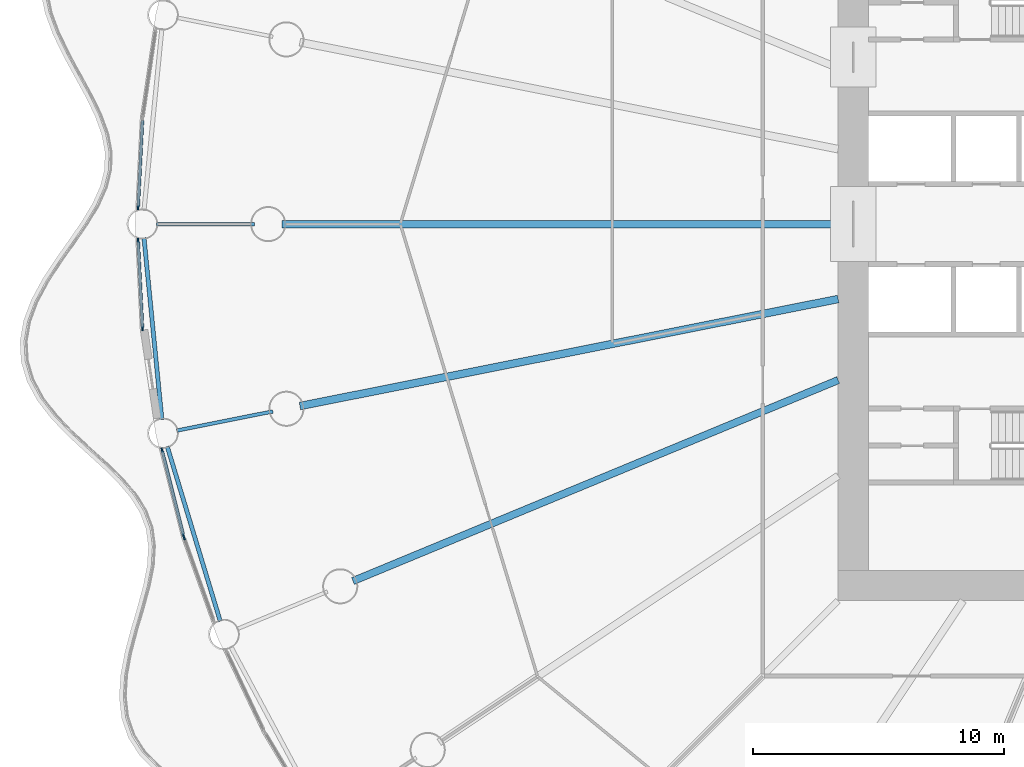
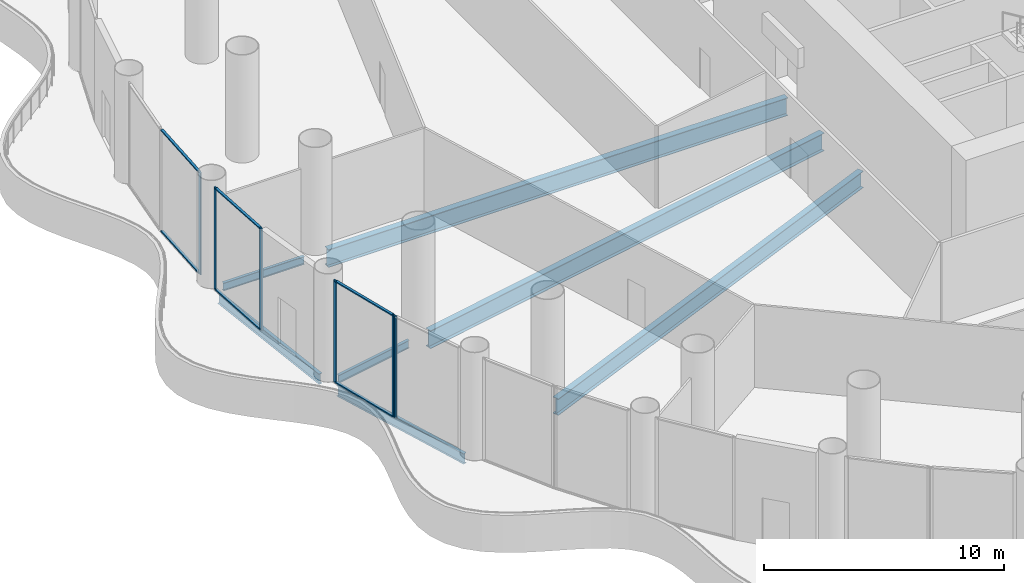
# One storey, part 7 of 37: 12 members, 7 beams, 4 elements without a shape of their own.
"""IFC4 building model written with IfcOpenShell, lengths in metres."""

from ifc_helpers import new_model, si_unit, direction, frame, origin, origin_2d, place, context, subcontext, project, spatial, rectangle, i_section, extrude, material, material_profile, profile_set, type_object, element, aggregate, save


model = new_model("IFC4")

# Units and contexts
model_context = context("Model", 3, precision=1e-05, world=origin(), true_north=direction((0.0, 1.0)))
body_context = subcontext(model_context, "Body", "Model", "MODEL_VIEW")
ifc_project = project(units=[si_unit("LENGTHUNIT", "METRE"), si_unit("AREAUNIT", "SQUARE_METRE"), si_unit("VOLUMEUNIT", "CUBIC_METRE"), si_unit("PLANEANGLEUNIT", "RADIAN"), si_unit("MASSUNIT", "GRAM", prefix="KILO")], contexts=[model_context])

# Site, building, storey
site_placement = place(None, origin())
site = spatial("IfcSite", under=ifc_project, at=site_placement, CompositionType="ELEMENT")
building_placement = place(site_placement, origin())
building = spatial("IfcBuilding", under=site, at=building_placement, Name="Corvane Civic Tower", CompositionType="ELEMENT")
storey_placement = place(building_placement, frame((0.0, 0.0, 11.5)))
storey = spatial("IfcBuildingStorey", under=building, at=storey_placement, Name="L02", CompositionType="ELEMENT", Elevation=11.5)

# Beams
ifc_material_1 = material(Name="Steel ASTM A992 Gr 50", Category="steel")
ifc_material_profile_1 = material_profile(ifc_material_1, i_section(OverallWidth=0.165771484375, OverallDepth=0.5283203125, WebThickness=0.009765625, FlangeThickness=0.013671875, at=origin_2d()), Name="W21X50")
ifc_profile_set_1 = profile_set([ifc_material_profile_1], Name="Steel ASTM A992 Gr 50")
beam_type_1 = type_object("IfcBeamType", Name="EDGE BEAM W21X50", PredefinedType="BEAM", material=ifc_profile_set_1)
for number, where, z_axis, x_axis, name in (
    (1, (-39.609375, -15.814208984375, -0.564208984375), (-0.290291633127, 0.956938225664, 0.0), (-0.956938225664, -0.290291633127, 0.0), "BM-L02-E23"),
    (2, (-41.93359375, -7.782958984375, -0.564208984375), (-0.097984225478, 0.995187967953, 0.0), (-0.995187967953, -0.097984225478, 0.0), "BM-L02-E24"),
):
    element("IfcBeam", number, at=place(storey_placement, frame(where, z_axis=z_axis, x_axis=x_axis)), inside=storey, type_object=beam_type_1, Name=name, PredefinedType="BEAM", context=body_context, shape_type="SweptSolid", body=[
        extrude(i_section(OverallWidth=0.165771484375, OverallDepth=0.5283203125, WebThickness=0.009765625, FlangeThickness=0.013671875, at=origin_2d()), origin(), (0.0, 0.0, 1.0), 7.2705078125),
    ])
ifc_material_2 = material(Name="Steel ASTM A992 Gr 50", Category="steel")
ifc_material_profile_2 = material_profile(ifc_material_2, i_section(OverallWidth=0.140380859375, OverallDepth=0.40380859375, WebThickness=0.007080078125, FlangeThickness=0.01123046875, at=origin_2d()), Name="W16X31")
ifc_profile_set_2 = profile_set([ifc_material_profile_2], Name="Steel ASTM A992 Gr 50")
beam_type_2 = type_object("IfcBeamType", Name="FLOOR GIRDER W16X31", PredefinedType="BEAM", material=ifc_profile_set_2)
for number, where, z_axis, x_axis, name in (
    (3, (-37.51513671875, -7.462158203125, -0.501953125), (-0.980777614264, -0.195128858343, 0.0), (0.195128858343, -0.980777614264, 0.0), "BM-L02-G24b"),
    (4, (-38.25, 0.0, -0.501953125), (-1.0, 0.0, 0.0), (0.0, -1.0, 0.0), "BM-L02-G25b"),
):
    element("IfcBeam", number, at=place(storey_placement, frame(where, z_axis=z_axis, x_axis=x_axis)), inside=storey, type_object=beam_type_2, Name=name, PredefinedType="BEAM", context=body_context, shape_type="SweptSolid", body=[
        extrude(i_section(OverallWidth=0.140380859375, OverallDepth=0.40380859375, WebThickness=0.007080078125, FlangeThickness=0.01123046875, at=origin_2d()), origin(), (0.0, 0.0, 1.0), 3.89990234375),
    ])
ifc_material_3 = material(Name="Steel ASTM A992 Gr 50", Category="steel")
ifc_material_profile_3 = material_profile(ifc_material_3, i_section(OverallWidth=0.2919921875, OverallDepth=0.845703125, WebThickness=0.015380859375, FlangeThickness=0.0244140625, at=origin_2d()), Name="W33X141")
ifc_profile_set_3 = profile_set([ifc_material_profile_3], Name="Steel ASTM A992 Gr 50")
beam_type_3 = type_object("IfcBeamType", Name="FLOOR GIRDER W33X141", PredefinedType="BEAM", material=ifc_profile_set_3)
beam_1_placement = place(storey_placement, frame((-15.0, -6.213134765625, -0.722900390625), z_axis=(-0.923875834355, -0.382692360381, 0.0), x_axis=(0.382692360381, -0.923875834355, 0.0)))
element("IfcBeam", 5, at=beam_1_placement, inside=storey, type_object=beam_type_3, Name="BM-L02-G23", PredefinedType="BEAM", context=body_context, shape_type="SweptSolid", body=[
    extrude(i_section(OverallWidth=0.2919921875, OverallDepth=0.845703125, WebThickness=0.015380859375, FlangeThickness=0.0244140625, at=origin_2d()), origin(), (0.0, 0.0, 1.0), 20.9140625),
])
ifc_material_4 = material(Name="Steel ASTM A992 Gr 50", Category="steel")
ifc_material_profile_4 = material_profile(ifc_material_4, i_section(OverallWidth=0.3046875, OverallDepth=0.911865234375, WebThickness=0.015869140625, FlangeThickness=0.02392578125, at=origin_2d()), Name="W36X150")
ifc_profile_set_4 = profile_set([ifc_material_profile_4], Name="Steel ASTM A992 Gr 50")
beam_type_4 = type_object("IfcBeamType", Name="FLOOR GIRDER W36X150", PredefinedType="BEAM", material=ifc_profile_set_4)
beam_2_placement = place(storey_placement, frame((-15.0, -2.983642578125, -0.755859375), z_axis=(-0.980785499679, -0.195089219638, 0.0), x_axis=(0.195089219638, -0.980785499679, 0.0)))
element("IfcBeam", 6, at=beam_2_placement, inside=storey, type_object=beam_type_4, Name="BM-L02-G24", PredefinedType="BEAM", context=body_context, shape_type="SweptSolid", body=[
    extrude(i_section(OverallWidth=0.3046875, OverallDepth=0.911865234375, WebThickness=0.015869140625, FlangeThickness=0.02392578125, at=origin_2d()), origin(), (0.0, 0.0, 1.0), 21.856201171875),
])
beam_3_placement = place(storey_placement, frame((-15.0, 0.0, -0.755859375), z_axis=(-1.0, 0.0, 0.0), x_axis=(0.0, -1.0, 0.0)))
element("IfcBeam", 7, at=beam_3_placement, inside=storey, type_object=beam_type_4, Name="BM-L02-G25", PredefinedType="BEAM", context=body_context, shape_type="SweptSolid", body=[
    extrude(i_section(OverallWidth=0.3046875, OverallDepth=0.911865234375, WebThickness=0.015869140625, FlangeThickness=0.02392578125, at=origin_2d()), origin(), (0.0, 0.0, 1.0), 22.14990234375),
])

# Curtain wall, member
ifc_material_5 = material(Name="Aluminium and glass", Category="aluminium")
curtain_wall_type = type_object("IfcCurtainWallType", Name="PODIUM-CW-P-RUN", PredefinedType="NOTDEFINED", material=ifc_material_5)
curtain_wall_1_placement = place(storey_placement, origin())
curtain_wall_1 = element("IfcCurtainWall", 8, at=curtain_wall_1_placement, inside=storey, type_object=curtain_wall_type, Name="PODI run L02-drum-23A", PredefinedType="NOTDEFINED")
ifc_material_6 = material(Name="Anodised aluminium bronze", Category="aluminium")
ifc_material_profile_5 = material_profile(ifc_material_6, rectangle(XDim=0.06005859375, YDim=0.159912109375, at=origin_2d()), Name="AL 60x160")
ifc_profile_set_5 = profile_set([ifc_material_profile_5], Name="Anodised aluminium bronze")
member_type_1 = type_object("IfcMemberType", Name="PODIUM-CWP-MULLION-60x160", PredefinedType="MULLION", material=ifc_profile_set_5)
member_1_placement = place(storey_placement, frame((-41.046875, -12.4990234375, 0.0), z_axis=(0.0, 0.0, 1.0), x_axis=(-0.941533802561, -0.336918534123, 0.0)))
member_1 = element("IfcMember", 9, at=member_1_placement, type_object=member_type_1, Name="CW-P mullion 2", PredefinedType="MULLION", context=body_context, shape_type="SweptSolid", body=[
    extrude(rectangle(XDim=0.06005859375, YDim=0.159912109375, at=origin_2d()), origin(), (0.0, 0.0, 1.0), 5.199951171875),
])
aggregate(curtain_wall_1, [member_1])

# Curtain wall, members
curtain_wall_2_placement = place(storey_placement, origin())
curtain_wall_2 = element("IfcCurtainWall", 10, at=curtain_wall_2_placement, inside=storey, type_object=curtain_wall_type, Name="PODI run L02-drum-23B", PredefinedType="NOTDEFINED")
member_2_placement = place(storey_placement, frame((-41.0732421875, -12.411865234375, 0.0), z_axis=(0.0, 0.0, 1.0), x_axis=(-0.970024070659, -0.243008852393, 0.0)))
member_2 = element("IfcMember", 11, at=member_2_placement, type_object=member_type_1, Name="CW-P mullion 1", PredefinedType="MULLION", context=body_context, shape_type="SweptSolid", body=[
    extrude(rectangle(XDim=0.06005859375, YDim=0.159912109375, at=origin_2d()), origin(), (0.0, 0.0, 1.0), 5.199951171875),
])
member_3_placement = place(storey_placement, frame((-41.9287109375, -8.99755859375, 0.0), z_axis=(0.0, 0.0, 1.0), x_axis=(-0.970024070659, -0.243008852393, 0.0)))
member_3 = element("IfcMember", 12, at=member_3_placement, type_object=member_type_1, Name="CW-P mullion 2", PredefinedType="MULLION", context=body_context, shape_type="SweptSolid", body=[
    extrude(rectangle(XDim=0.06005859375, YDim=0.159912109375, at=origin_2d()), origin(), (0.0, 0.0, 1.0), 5.199951171875),
])

curtain_wall_3_placement = place(storey_placement, origin())
curtain_wall_3 = element("IfcCurtainWall", 13, at=curtain_wall_3_placement, inside=storey, type_object=curtain_wall_type, Name="PODI run L02-drum-24B", PredefinedType="NOTDEFINED")
member_4_placement = place(storey_placement, frame((-42.70556640625, -4.16064453125, 0.0), z_axis=(0.0, 0.0, 1.0), x_axis=(-0.998796316803, -0.04905015332, 0.0)))
member_4 = element("IfcMember", 14, at=member_4_placement, type_object=member_type_1, Name="CW-P mullion 1", PredefinedType="MULLION", context=body_context, shape_type="SweptSolid", body=[
    extrude(rectangle(XDim=0.06005859375, YDim=0.159912109375, at=origin_2d()), origin(), (0.0, 0.0, 1.0), 5.199951171875),
])
member_5_placement = place(storey_placement, frame((-42.878173828125, -0.644775390625, 0.0), z_axis=(0.0, 0.0, 1.0), x_axis=(-0.998796316803, -0.04905015332, 0.0)))
member_5 = element("IfcMember", 15, at=member_5_placement, type_object=member_type_1, Name="CW-P mullion 2", PredefinedType="MULLION", context=body_context, shape_type="SweptSolid", body=[
    extrude(rectangle(XDim=0.06005859375, YDim=0.159912109375, at=origin_2d()), origin(), (0.0, 0.0, 1.0), 5.199951171875),
])

# Curtain wall, member
curtain_wall_4_placement = place(storey_placement, origin())
curtain_wall_4 = element("IfcCurtainWall", 16, at=curtain_wall_4_placement, inside=storey, type_object=curtain_wall_type, Name="PODI run L02-drum-25A", PredefinedType="NOTDEFINED")
member_6_placement = place(storey_placement, frame((-42.878173828125, 0.644775390625, 0.0), z_axis=(0.0, 0.0, 1.0), x_axis=(-0.998796316803, 0.04905015332, 0.0)))
member_6 = element("IfcMember", 17, at=member_6_placement, type_object=member_type_1, Name="CW-P mullion 1", PredefinedType="MULLION", context=body_context, shape_type="SweptSolid", body=[
    extrude(rectangle(XDim=0.06005859375, YDim=0.159912109375, at=origin_2d()), origin(), (0.0, 0.0, 1.0), 5.199951171875),
])

# Member
ifc_material_7 = material(Name="Anodised aluminium bronze", Category="aluminium")
ifc_material_profile_6 = material_profile(ifc_material_7, rectangle(XDim=0.1201171875, YDim=0.06005859375, at=origin_2d()), Name="AL 120x60")
ifc_profile_set_6 = profile_set([ifc_material_profile_6], Name="Anodised aluminium bronze")
member_type_2 = type_object("IfcMemberType", Name="PODIUM-CWP-TRANSOM-60x120", PredefinedType="USERDEFINED", material=ifc_profile_set_6)
member_7_placement = place(storey_placement, frame((-41.08056640625, -12.3828125, 0.030029296875), z_axis=(-0.243017080124, 0.970022009425, 0.0), x_axis=(-0.970022009425, -0.243017080124, 0.0)))
member_7 = element("IfcMember", 18, at=member_7_placement, type_object=member_type_2, Name="CW-P transom 1.1", ObjectType="TRANSOM", PredefinedType="USERDEFINED", context=body_context, shape_type="SweptSolid", body=[
    extrude(rectangle(XDim=0.1201171875, YDim=0.06005859375, at=origin_2d()), origin(), (0.0, 0.0, 1.0), 3.4599609375),
])

member_8_placement = place(storey_placement, frame((-41.08056640625, -12.3828125, 5.169921875), z_axis=(-0.243017080124, 0.970022009425, 0.0), x_axis=(-0.970022009425, -0.243017080124, 0.0)))
member_8 = element("IfcMember", 19, at=member_8_placement, type_object=member_type_2, Name="CW-P transom 1.2", ObjectType="TRANSOM", PredefinedType="USERDEFINED", context=body_context, shape_type="SweptSolid", body=[
    extrude(rectangle(XDim=0.1201171875, YDim=0.06005859375, at=origin_2d()), origin(), (0.0, 0.0, 1.0), 3.4599609375),
])

aggregate(curtain_wall_2, [member_2, member_3, member_7, member_8])

member_9_placement = place(storey_placement, frame((-42.70703125, -4.130615234375, 0.030029296875), z_axis=(-0.049040182301, 0.998796806423, 0.0), x_axis=(-0.998796806423, -0.049040182301, 0.0)))
member_9 = element("IfcMember", 20, at=member_9_placement, type_object=member_type_2, Name="CW-P transom 1.1", ObjectType="TRANSOM", PredefinedType="USERDEFINED", context=body_context, shape_type="SweptSolid", body=[
    extrude(rectangle(XDim=0.1201171875, YDim=0.06005859375, at=origin_2d()), origin(), (0.0, 0.0, 1.0), 3.4599609375),
])

member_10_placement = place(storey_placement, frame((-42.70703125, -4.130615234375, 5.169921875), z_axis=(-0.049040182301, 0.998796806423, 0.0), x_axis=(-0.998796806423, -0.049040182301, 0.0)))
member_10 = element("IfcMember", 21, at=member_10_placement, type_object=member_type_2, Name="CW-P transom 1.2", ObjectType="TRANSOM", PredefinedType="USERDEFINED", context=body_context, shape_type="SweptSolid", body=[
    extrude(rectangle(XDim=0.1201171875, YDim=0.06005859375, at=origin_2d()), origin(), (0.0, 0.0, 1.0), 3.4599609375),
])

aggregate(curtain_wall_3, [member_4, member_5, member_9, member_10])

member_11_placement = place(storey_placement, frame((-42.876708984375, 0.6748046875, 0.030029296875), z_axis=(0.049040182301, 0.998796806423, 0.0), x_axis=(-0.998796806423, 0.049040182301, 0.0)))
member_11 = element("IfcMember", 22, at=member_11_placement, type_object=member_type_2, Name="CW-P transom 1.1", ObjectType="TRANSOM", PredefinedType="USERDEFINED", context=body_context, shape_type="SweptSolid", body=[
    extrude(rectangle(XDim=0.1201171875, YDim=0.06005859375, at=origin_2d()), origin(), (0.0, 0.0, 1.0), 3.4599609375),
])

member_12_placement = place(storey_placement, frame((-42.876708984375, 0.6748046875, 5.169921875), z_axis=(0.049040182301, 0.998796806423, 0.0), x_axis=(-0.998796806423, 0.049040182301, 0.0)))
member_12 = element("IfcMember", 23, at=member_12_placement, type_object=member_type_2, Name="CW-P transom 1.2", ObjectType="TRANSOM", PredefinedType="USERDEFINED", context=body_context, shape_type="SweptSolid", body=[
    extrude(rectangle(XDim=0.1201171875, YDim=0.06005859375, at=origin_2d()), origin(), (0.0, 0.0, 1.0), 3.4599609375),
])

aggregate(curtain_wall_4, [member_6, member_11, member_12])

save(model, "model.ifc")
